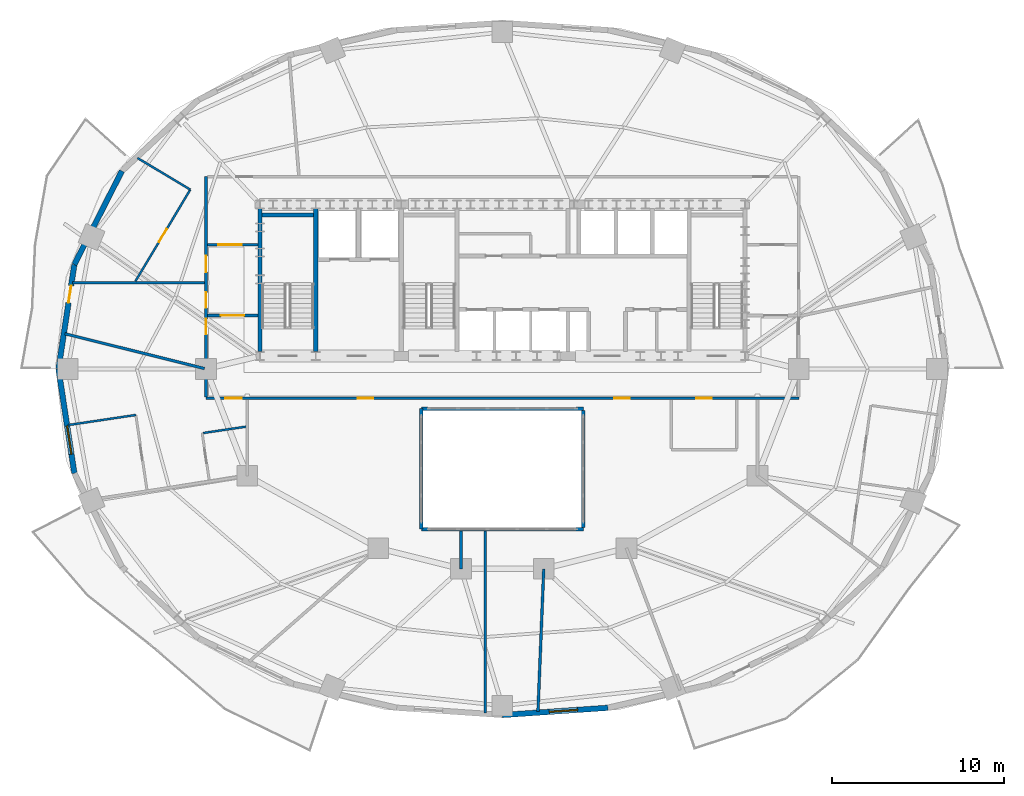
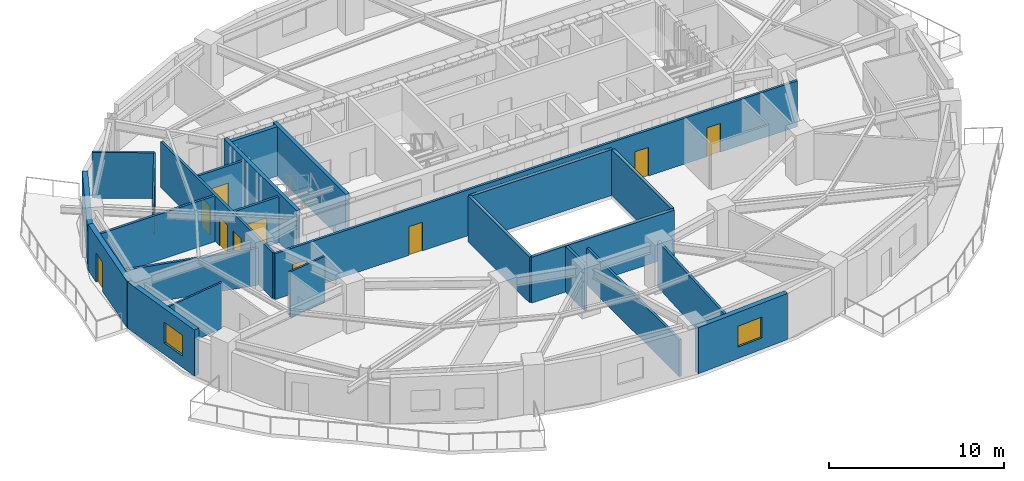
# One storey, part 6 of 12: 24 walls, 11 doors, 2 windows, 13 openings.
"""IFC4 building model written with IfcOpenShell, lengths in metres."""

import ifcopenshell
import ifcopenshell.guid

model = None  # the IFC model being written
_history = None  # IfcOwnerHistory: only IFC2X3 demands one
_inside = {}  # id of a spatial element -> (the spatial element, [elements in it])
_under = {}  # id of a project, library or spatial element -> (it, [spatial elements below it])
_declared = {}  # id of a project -> (the project, [libraries it declares])
_typed = {}  # id of a type object -> (the type object, [elements of that type])
_made_of = {}  # id of a material, layer set ... -> (it, [elements and type objects made of it])


def new_model(schema):
    """Start an empty IFC model of exactly this schema.

    Asked for "IFC4X3", IfcOpenShell would pick the latest addendum, in which some entities
    have other attributes; the version numbers below select the first issue.
    IFC2X3 requires an IfcOwnerHistory on every rooted entity: one is made here for all.
    """
    global model, _history
    if schema == "IFC4X3":
        model = ifcopenshell.file(schema_version=(4, 3, 0, 0))
    else:
        model = ifcopenshell.file(schema=schema)
    _inside.clear()
    _under.clear()
    _declared.clear()
    _typed.clear()
    _made_of.clear()
    _history = None
    if model.schema == "IFC2X3":
        org = make("IfcOrganization", Name="unknown")
        user = make(
            "IfcPersonAndOrganization",
            ThePerson=make("IfcPerson", FamilyName="unknown"),
            TheOrganization=org,
        )
        app = make(
            "IfcApplication",
            ApplicationDeveloper=org,
            Version="unknown",
            ApplicationFullName="unknown",
            ApplicationIdentifier="unknown",
        )
        _history = make(
            "IfcOwnerHistory",
            OwningUser=user,
            OwningApplication=app,
            ChangeAction="ADDED",
            CreationDate=0,
        )
    return model


def make(cls, **values):
    """One entity of the class cls with the attributes given. An attribute that is None is left unset."""
    return model.create_entity(
        cls, **{name: value for name, value in values.items() if value is not None}
    )


def rooted(cls, **values):
    """An entity with a GlobalId (a new one), such as an element, a storey or a relation."""
    return make(cls, GlobalId=ifcopenshell.guid.new(), OwnerHistory=_history, **values)


def si_unit(unit_type, name, prefix=None):
    """IfcSIUnit, for example si_unit("LENGTHUNIT", "METRE", prefix="MILLI")."""
    return make("IfcSIUnit", UnitType=unit_type, Prefix=prefix, Name=name)


def assignment(units):
    """IfcUnitAssignment: the units of a project."""
    return None if units is None else make("IfcUnitAssignment", Units=units)


def point(xyz):
    """IfcCartesianPoint."""
    return None if xyz is None else make("IfcCartesianPoint", Coordinates=xyz)


def direction(xyz):
    """IfcDirection."""
    return None if xyz is None else make("IfcDirection", DirectionRatios=xyz)


def frame(location, z_axis=None, x_axis=None):
    """IfcAxis2Placement3D, a coordinate frame: its origin and axes. An axis left out is left unset."""
    return make(
        "IfcAxis2Placement3D",
        Location=point(location),
        Axis=direction(z_axis),
        RefDirection=direction(x_axis),
    )


def frame_2d(location, x_axis=None):
    """IfcAxis2Placement2D, a coordinate frame in the plane: its origin and x axis."""
    return make(
        "IfcAxis2Placement2D", Location=point(location), RefDirection=direction(x_axis)
    )


def origin():
    """The frame at (0, 0, 0) with its axes left unset."""
    return frame((0.0, 0.0, 0.0))


def place(relative_to, where):
    """IfcLocalPlacement: puts the frame where relative to a parent placement (None: the world)."""
    return make(
        "IfcLocalPlacement", PlacementRelTo=relative_to, RelativePlacement=where
    )


def context(
    kind, dimensions, precision=None, world=None, true_north=None, identifier=None
):
    """IfcGeometricRepresentationContext, for example the 3D "Model" context."""
    return make(
        "IfcGeometricRepresentationContext",
        ContextIdentifier=identifier,
        ContextType=kind,
        CoordinateSpaceDimension=dimensions,
        Precision=precision,
        WorldCoordinateSystem=world,
        TrueNorth=true_north,
    )


def subcontext(parent, identifier, kind, view, scale=None):
    """IfcGeometricRepresentationSubContext, for example "Body" below "Model"."""
    return make(
        "IfcGeometricRepresentationSubContext",
        ContextIdentifier=identifier,
        ContextType=kind,
        ParentContext=parent,
        TargetScale=scale,
        TargetView=view,
    )


def project(units=None, contexts=None):
    """IfcProject with its units and contexts."""
    return rooted(
        "IfcProject",
        Name="project",
        RepresentationContexts=contexts,
        UnitsInContext=assignment(units),
    )


def spatial(cls, under=None, at=None, **own):
    """A site, building, storey or space (cls), placed at a placement, below another one or the project."""
    s = rooted(cls, ObjectPlacement=at, **own)
    if under is not None:
        _under.setdefault(under.id(), (under, []))[1].append(s)
    return s


def profile(cls, at=None, kind="AREA", **sizes):
    """A parametric profile (cls). Its sizes go by their IFC names, for example OverallWidth=200.0."""
    return make(cls, ProfileType=kind, Position=at, **sizes)


def rectangle(**sizes):
    """IfcRectangleProfileDef."""
    return profile("IfcRectangleProfileDef", **sizes)


def extrude(swept, where, along, depth):
    """IfcExtrudedAreaSolid: the profile swept, set in the frame where, extruded along a direction by depth."""
    return make(
        "IfcExtrudedAreaSolid",
        SweptArea=swept,
        Position=where,
        ExtrudedDirection=direction(along),
        Depth=depth,
    )


def shape(context_of_items, identifier, shape_type, items):
    """IfcShapeRepresentation: the items that make up one representation, for example the "Body"."""
    return make(
        "IfcShapeRepresentation",
        ContextOfItems=context_of_items,
        RepresentationIdentifier=identifier,
        RepresentationType=shape_type,
        Items=items,
    )


def material(Name=None, Category=None):
    """IfcMaterial."""
    return make("IfcMaterial", Name=Name, Category=Category)


def layer(
    of_material, thickness, ventilated=None, Name=None, Category=None, Priority=None
):
    """IfcMaterialLayer: one layer of a wall or slab, of a material (None: an air gap)."""
    return make(
        "IfcMaterialLayer",
        Material=of_material,
        LayerThickness=thickness,
        IsVentilated=ventilated,
        Name=Name,
        Category=Category,
        Priority=Priority,
    )


def layer_set(layers, Name=None):
    """IfcMaterialLayerSet."""
    return make("IfcMaterialLayerSet", MaterialLayers=layers, LayerSetName=Name)


def made_of(thing, what):
    """Note that an element or type object is made of a material, layer set ...; save() writes the relation."""
    if what is not None:
        _made_of.setdefault(what.id(), (what, []))[1].append(thing)
    return thing


def type_object(cls, material=None, **own):
    """A type object (cls), such as IfcWallType, which elements share."""
    return made_of(rooted(cls, **own), material)


def element(
    cls,
    number,
    at=None,
    inside=None,
    cuts=None,
    type_object=None,
    material=None,
    context=None,
    identifier="Body",
    shape_type=None,
    held_by="IfcProductDefinitionShape",
    body=None,
    shapes=None,
    **own,
):
    """One element of the class cls, such as IfcWall. Its Tag is "e" and its number.

    at: its placement. inside: the storey or other place that contains it. cuts: it is an
    opening in that element (IfcRelVoidsElement). A single representation is given by context,
    identifier, shape_type and body (its items); several are given by shapes. held_by: the class
    of the entity that holds the representations. save() writes the other relations.
    """
    e = rooted(cls, Tag="e%d" % number, ObjectPlacement=at, **own)
    if body is not None:
        shapes = [shape(context, identifier, shape_type, body)]
    if shapes is not None:
        e.Representation = make(held_by, Representations=shapes)
    if inside is not None:
        _inside.setdefault(inside.id(), (inside, []))[1].append(e)
    if cuts is not None:
        rooted(
            "IfcRelVoidsElement", RelatingBuildingElement=cuts, RelatedOpeningElement=e
        )
    if type_object is not None:
        _typed.setdefault(type_object.id(), (type_object, []))[1].append(e)
    return made_of(e, material)


def fill(opening, filler):
    """IfcRelFillsElement: the door or window that sits in an opening."""
    return rooted(
        "IfcRelFillsElement",
        RelatingOpeningElement=opening,
        RelatedBuildingElement=filler,
    )


def aggregate(whole, parts):
    """IfcRelAggregates: a whole, such as a stair, and the parts it consists of."""
    return rooted("IfcRelAggregates", RelatingObject=whole, RelatedObjects=parts)


def save(model, path):
    """Write the relations noted so far, then the file.

    IfcRelAggregates (storeys below a building ...), IfcRelContainedInSpatialStructure (elements
    in a storey), IfcRelDefinesByType, IfcRelAssociatesMaterial and IfcRelDeclares: one each for
    every whole, place, type object, material and project.
    """
    for whole, parts in _under.values():
        aggregate(whole, parts)
    for where, things in _inside.values():
        rooted(
            "IfcRelContainedInSpatialStructure",
            RelatedElements=things,
            RelatingStructure=where,
        )
    for kind, things in _typed.values():
        rooted("IfcRelDefinesByType", RelatedObjects=things, RelatingType=kind)
    for what, things in _made_of.values():
        rooted("IfcRelAssociatesMaterial", RelatedObjects=things, RelatingMaterial=what)
    for by, libraries in _declared.values():
        rooted("IfcRelDeclares", RelatingContext=by, RelatedDefinitions=libraries)
    model.write(path)


model = new_model("IFC4")

# Units and contexts
model_context = context("Model", 3, precision=1e-05, world=origin(), true_north=direction((0.0, 1.0)))
body_context = subcontext(model_context, "Body", "Model", "MODEL_VIEW")
ifc_project = project(units=[si_unit("LENGTHUNIT", "METRE"), si_unit("AREAUNIT", "SQUARE_METRE"), si_unit("VOLUMEUNIT", "CUBIC_METRE"), si_unit("PLANEANGLEUNIT", "RADIAN"), si_unit("MASSUNIT", "GRAM", prefix="KILO")], contexts=[model_context])

# Site, building, storey
site_placement = place(None, origin())
site = spatial("IfcSite", under=ifc_project, at=site_placement, CompositionType="ELEMENT")
building_placement = place(site_placement, origin())
building = spatial("IfcBuilding", under=site, at=building_placement, Name="Haldorwick Loom Tower", CompositionType="ELEMENT")
storey_placement = place(building_placement, frame((0.0, 0.0, 157.89990234375)))
storey = spatial("IfcBuildingStorey", under=building, at=storey_placement, Name="L42", CompositionType="ELEMENT", Elevation=157.89990234375)

# Wall
ifc_material_1 = material(Name="Pressed Clay Face Brick and Insulated Masonry Backup Assembly", Category="masonry")
ifc_layer_1 = layer(ifc_material_1, 0.320068359375, Name="Pressed Clay Face Brick and Insulated Masonry Backup Assembly", Category="masonry")
ifc_layer_set_1 = layer_set([ifc_layer_1], Name="Pressed Clay Face Brick and Insulated Masonry Backup Assembly")
wall_type_1 = type_object("IfcWallType", Name="ARC-WL-EXT320", PredefinedType="STANDARD", material=ifc_layer_set_1)
wall_1_placement = place(storey_placement, frame((13.92333984375, 37.481201171875, 0.0), z_axis=(0.0, 0.0, 1.0), x_axis=(-0.453172129629, -0.89142303141, 0.0)))
element("IfcWall", 1, at=wall_1_placement, inside=storey, type_object=wall_type_1, Name="L42 Brick Pier and Spandrel Wall 11", PredefinedType="STANDARD", context=body_context, shape_type="SweptSolid", body=[
    extrude(rectangle(XDim=6.086669921875, YDim=0.320068359375, at=frame_2d((3.04345703125, 0.0))), origin(), (0.0, 0.0, 1.0), 2.64111328125),
])

# Wall, opening, door
wall_2_placement = place(storey_placement, frame((11.1650390625, 32.055419921875, 0.0), z_axis=(0.0, 0.0, 1.0), x_axis=(-0.150544467684, -0.988603238539, 0.0)))
wall_2 = element("IfcWall", 2, at=wall_2_placement, inside=storey, type_object=wall_type_1, Name="L42 Brick Pier and Spandrel Wall 12", PredefinedType="STANDARD", context=body_context, shape_type="SweptSolid", body=[
    extrude(rectangle(XDim=6.125244140625, YDim=0.320068359375, at=frame_2d((3.0625, 0.0))), origin(), (0.0, 0.0, 1.0), 3.210205078125),
])
opening_1_placement = place(wall_2_placement, frame((1.2412109375, 0.0, 0.0)))
opening_1 = element("IfcOpeningElement", 3, at=opening_1_placement, cuts=wall_2, Name="Opening D-BL10", PredefinedType="OPENING", context=body_context, shape_type="SweptSolid", body=[
    extrude(rectangle(XDim=1.0, YDim=2.0400390625, at=frame_2d((0.5, 1.02001953125))), frame((0.0, 0.169921875, 0.0), z_axis=(0.0, -1.0, 0.0), x_axis=(1.0, 0.0, 0.0)), (0.0, 0.0, 1.0), 0.340087890625),
])
ifc_material_2 = material(Name="Thermally Broken Anodized Aluminium Curtain Wall Framing", Category="aluminium")
door_type_1 = type_object("IfcDoorType", Name="ARC-DR-BAL100", OperationType="NOTDEFINED", PredefinedType="DOOR", material=ifc_material_2)
door_1_placement = place(opening_1_placement, origin())
door_1 = element("IfcDoor", 4, at=door_1_placement, inside=storey, type_object=door_type_1, Name="L42 Outdoor Terrace Door SLB-L42-BAL_WNW", OperationType="SINGLE_SWING_RIGHT", OverallHeight=2.0400390625, OverallWidth=1.0, PredefinedType="DOOR", context=body_context, shape_type="SweptSolid", body=[
    extrude(rectangle(XDim=1.0, YDim=2.0400390625, at=frame_2d((0.5, 1.02001953125))), frame((0.0, 0.02490234375, 0.0), z_axis=(0.0, -1.0, 0.0), x_axis=(1.0, 0.0, 0.0)), (0.0, 0.0, 1.0), 0.050048828125),
])
fill(opening_1, door_1)

# Wall, opening, window
wall_3_placement = place(storey_placement, frame((10.242919921875, 26.0, 0.0), z_axis=(0.0, 0.0, 1.0), x_axis=(0.150544467684, -0.988603238539, 0.0)))
wall_3 = element("IfcWall", 5, at=wall_3_placement, inside=storey, type_object=wall_type_1, Name="L42 Brick Pier and Spandrel Wall 13", PredefinedType="STANDARD", context=body_context, shape_type="SweptSolid", body=[
    extrude(rectangle(XDim=6.125244140625, YDim=0.320068359375, at=frame_2d((3.0625, 0.0))), origin(), (0.0, 0.0, 1.0), 3.210205078125),
])
opening_2_placement = place(wall_3_placement, frame((3.35205078125, 0.0, 0.800048828125)))
opening_2 = element("IfcOpeningElement", 6, at=opening_2_placement, cuts=wall_3, Name="Opening W-01B", PredefinedType="OPENING", context=body_context, shape_type="SweptSolid", body=[
    extrude(rectangle(XDim=1.64990234375, YDim=1.449951171875, at=frame_2d((0.824951171875, 0.72509765625))), frame((0.0, 0.169921875, 0.0), z_axis=(0.0, -1.0, 0.0), x_axis=(1.0, 0.0, 0.0)), (0.0, 0.0, 1.0), 0.340087890625),
])
ifc_material_3 = material(Name="Triple-Glazed Low-E Argon Insulated Glazing Unit", Category="glass")
window_type = type_object("IfcWindowType", Name="ARC-WIN-W165", PartitioningType="SINGLE_PANEL", PredefinedType="WINDOW", material=ifc_material_3)
window_1_placement = place(opening_2_placement, origin())
window_1 = element("IfcWindow", 7, at=window_1_placement, inside=storey, type_object=window_type, Name="L42 Deep-Set Zone 7A Window 13", OverallHeight=1.449951171875, OverallWidth=1.64990234375, PartitioningType="SINGLE_PANEL", PredefinedType="WINDOW", context=body_context, shape_type="SweptSolid", body=[
    extrude(rectangle(XDim=1.64990234375, YDim=1.449951171875, at=frame_2d((0.824951171875, 0.72509765625))), frame((0.0, 0.030029296875, 0.0), z_axis=(0.0, -1.0, 0.0), x_axis=(1.0, 0.0, 0.0)), (0.0, 0.0, 1.0), 0.06005859375),
])
fill(opening_2, window_1)

wall_4_placement = place(storey_placement, frame((36.0, 5.915283203125, 0.0), z_axis=(0.0, 0.0, 1.0), x_axis=(0.997652942988, 0.068473391522, 0.0)))
wall_4 = element("IfcWall", 8, at=wall_4_placement, inside=storey, type_object=wall_type_1, Name="L42 Brick Pier and Spandrel Wall 19", PredefinedType="STANDARD", context=body_context, shape_type="SweptSolid", body=[
    extrude(rectangle(XDim=6.143310546875, YDim=0.320068359375, at=frame_2d((3.07177734375, 0.0))), origin(), (0.0, 0.0, 1.0), 3.210205078125),
])
opening_3_placement = place(wall_4_placement, frame((2.723388671875, 0.0, 0.800048828125)))
opening_3 = element("IfcOpeningElement", 9, at=opening_3_placement, cuts=wall_4, Name="Opening W-01B", PredefinedType="OPENING", context=body_context, shape_type="SweptSolid", body=[
    extrude(rectangle(XDim=1.64990234375, YDim=1.449951171875, at=frame_2d((0.824951171875, 0.72509765625))), frame((0.0, 0.169921875, 0.0), z_axis=(0.0, -1.0, 0.0), x_axis=(1.0, 0.0, 0.0)), (0.0, 0.0, 1.0), 0.340087890625),
])
window_2_placement = place(opening_3_placement, origin())
window_2 = element("IfcWindow", 10, at=window_2_placement, inside=storey, type_object=window_type, Name="L42 Deep-Set Zone 7A Window 19", OverallHeight=1.449951171875, OverallWidth=1.64990234375, PartitioningType="SINGLE_PANEL", PredefinedType="WINDOW", context=body_context, shape_type="SweptSolid", body=[
    extrude(rectangle(XDim=1.64990234375, YDim=1.449951171875, at=frame_2d((0.824951171875, 0.72509765625))), frame((0.0, 0.030029296875, 0.0), z_axis=(0.0, -1.0, 0.0), x_axis=(1.0, 0.0, 0.0)), (0.0, 0.0, 1.0), 0.06005859375),
])
fill(opening_3, window_2)

# Wall, openings, doors
ifc_material_4 = material(Name="Fire-Rated Type X Gypsum Stud Assembly EI 60")
ifc_layer_2 = layer(ifc_material_4, 0.159912109375, Name="Fire-Rated Type X Gypsum Stud Assembly EI 60")
ifc_layer_set_2 = layer_set([ifc_layer_2], Name="Fire-Rated Type X Gypsum Stud Assembly EI 60")
wall_type_2 = type_object("IfcWallType", Name="ARC-WL-FIRE160", PredefinedType="PARTITIONING", material=ifc_layer_set_2)
wall_5_placement = place(storey_placement, frame((18.800048828125, 24.300048828125, 0.0), z_axis=(0.0, 0.0, 1.0), x_axis=(1.0, 0.0, 0.0)))
wall_5 = element("IfcWall", 11, at=wall_5_placement, inside=storey, type_object=wall_type_2, Name="L42 Residential Fire Partition L42-CR-SP", PredefinedType="PARTITIONING", context=body_context, shape_type="SweptSolid", body=[
    extrude(rectangle(XDim=34.39990234375, YDim=0.159912109375, at=frame_2d((17.199951171875, 0.0))), origin(), (0.0, 0.0, 1.0), 3.195068359375),
])
opening_4_placement = place(wall_5_placement, frame((23.6962890625, 0.0, 0.0)))
opening_4 = element("IfcOpeningElement", 12, at=opening_4_placement, cuts=wall_5, Name="Opening D-FD60A", PredefinedType="OPENING", context=body_context, shape_type="SweptSolid", body=[
    extrude(rectangle(XDim=0.89990234375, YDim=2.0, at=frame_2d((0.449951171875, 1.0))), frame((0.0, 0.08984375, 0.0), z_axis=(0.0, -1.0, 0.0), x_axis=(1.0, 0.0, 0.0)), (0.0, 0.0, 1.0), 0.179931640625),
])
opening_5_placement = place(wall_5_placement, frame((8.8115234375, 0.0, 0.0)))
opening_5 = element("IfcOpeningElement", 13, at=opening_5_placement, cuts=wall_5, Name="Opening D-FD60A", PredefinedType="OPENING", context=body_context, shape_type="SweptSolid", body=[
    extrude(rectangle(XDim=0.89990234375, YDim=2.0, at=frame_2d((0.449951171875, 1.0))), frame((0.0, 0.08984375, 0.0), z_axis=(0.0, -1.0, 0.0), x_axis=(1.0, 0.0, 0.0)), (0.0, 0.0, 1.0), 0.179931640625),
])
opening_6_placement = place(wall_5_placement, frame((28.437255859375, 0.0, 0.0)))
opening_6 = element("IfcOpeningElement", 14, at=opening_6_placement, cuts=wall_5, Name="Opening D-FD60A", PredefinedType="OPENING", context=body_context, shape_type="SweptSolid", body=[
    extrude(rectangle(XDim=0.89990234375, YDim=2.0, at=frame_2d((0.449951171875, 1.0))), frame((0.0, 0.08984375, 0.0), z_axis=(0.0, -1.0, 0.0), x_axis=(1.0, 0.0, 0.0)), (0.0, 0.0, 1.0), 0.179931640625),
])
opening_7_placement = place(wall_5_placement, frame((1.130859375, 0.0, 0.0)))
opening_7 = element("IfcOpeningElement", 15, at=opening_7_placement, cuts=wall_5, Name="Opening D-FL95", PredefinedType="OPENING", context=body_context, shape_type="SweptSolid", body=[
    extrude(rectangle(XDim=0.949951171875, YDim=2.0400390625, at=frame_2d((0.47509765625, 1.02001953125))), frame((0.0, 0.08984375, 0.0), z_axis=(0.0, -1.0, 0.0), x_axis=(1.0, 0.0, 0.0)), (0.0, 0.0, 1.0), 0.179931640625),
])
ifc_material_5 = material(Name="Hollow Steel Fire Door Assembly", Category="steel")
door_type_2 = type_object("IfcDoorType", Name="ARC-DR-FD60-90", OperationType="NOTDEFINED", PredefinedType="DOOR", material=ifc_material_5)
door_2_placement = place(opening_4_placement, origin())
door_2 = element("IfcDoor", 16, at=door_2_placement, inside=storey, type_object=door_type_2, Name="L42 L42 Central Residential Corridor to Co-Working Open Office 1 Door", OperationType="SINGLE_SWING_LEFT", OverallHeight=2.0, OverallWidth=0.89990234375, PredefinedType="DOOR", context=body_context, shape_type="SweptSolid", body=[
    extrude(rectangle(XDim=0.89990234375, YDim=2.0, at=frame_2d((0.449951171875, 1.0))), frame((0.0, 0.02490234375, 0.0), z_axis=(0.0, -1.0, 0.0), x_axis=(1.0, 0.0, 0.0)), (0.0, 0.0, 1.0), 0.050048828125),
])
fill(opening_4, door_2)
door_3_placement = place(opening_5_placement, origin())
door_3 = element("IfcDoor", 17, at=door_3_placement, inside=storey, type_object=door_type_2, Name="L42 L42 Central Residential Corridor to Co-Working Open Office 2 Door", OperationType="SINGLE_SWING_RIGHT", OverallHeight=2.0, OverallWidth=0.89990234375, PredefinedType="DOOR", context=body_context, shape_type="SweptSolid", body=[
    extrude(rectangle(XDim=0.89990234375, YDim=2.0, at=frame_2d((0.449951171875, 1.0))), frame((0.0, 0.02490234375, 0.0), z_axis=(0.0, -1.0, 0.0), x_axis=(1.0, 0.0, 0.0)), (0.0, 0.0, 1.0), 0.050048828125),
])
fill(opening_5, door_3)
door_4_placement = place(opening_6_placement, origin())
door_4 = element("IfcDoor", 18, at=door_4_placement, inside=storey, type_object=door_type_2, Name="L42 L42 Central Residential Corridor to Common Accessible WC Door", OperationType="SINGLE_SWING_LEFT", OverallHeight=2.0, OverallWidth=0.89990234375, PredefinedType="DOOR", context=body_context, shape_type="SweptSolid", body=[
    extrude(rectangle(XDim=0.89990234375, YDim=2.0, at=frame_2d((0.449951171875, 1.0))), frame((0.0, 0.02490234375, 0.0), z_axis=(0.0, -1.0, 0.0), x_axis=(1.0, 0.0, 0.0)), (0.0, 0.0, 1.0), 0.050048828125),
])
fill(opening_6, door_4)
ifc_material_6 = material(Name="Solid Core Birch Architectural Door")
door_type_3 = type_object("IfcDoorType", Name="ARC-DR-FLAT95", OperationType="NOTDEFINED", PredefinedType="DOOR", material=ifc_material_6)
door_5_placement = place(opening_7_placement, origin())
door_5 = element("IfcDoor", 19, at=door_5_placement, inside=storey, type_object=door_type_3, Name="L42 L42 Central Residential Corridor to Unit 42A Kitchen and Living Room", OperationType="SINGLE_SWING_LEFT", OverallHeight=2.0400390625, OverallWidth=0.949951171875, PredefinedType="DOOR", context=body_context, shape_type="SweptSolid", body=[
    extrude(rectangle(XDim=0.949951171875, YDim=2.0400390625, at=frame_2d((0.47509765625, 1.02001953125))), frame((0.0, 0.02490234375, 0.0), z_axis=(0.0, -1.0, 0.0), x_axis=(1.0, 0.0, 0.0)), (0.0, 0.0, 1.0), 0.050048828125),
])
fill(opening_7, door_5)

wall_6_placement = place(storey_placement, frame((18.800048828125, 24.383056640625, 0.0), z_axis=(0.0, 0.0, 1.0), x_axis=(0.0, 1.0, 0.0)))
wall_6 = element("IfcWall", 20, at=wall_6_placement, inside=storey, type_object=wall_type_2, Name="L42 Residential Fire Partition L42-CR-W0", PredefinedType="PARTITIONING", context=body_context, shape_type="SweptSolid", body=[
    extrude(rectangle(XDim=12.766845703125, YDim=0.159912109375, at=frame_2d((6.38330078125, 0.0))), origin(), (0.0, 0.0, 1.0), 3.195068359375),
])
opening_8_placement = place(wall_6_placement, frame((3.62158203125, 0.0, 0.0)))
opening_8 = element("IfcOpeningElement", 21, at=opening_8_placement, cuts=wall_6, Name="Opening D-FD60A", PredefinedType="OPENING", context=body_context, shape_type="SweptSolid", body=[
    extrude(rectangle(XDim=0.89990234375, YDim=2.0, at=frame_2d((0.449951171875, 1.0))), frame((0.0, 0.08984375, 0.0), z_axis=(0.0, -1.0, 0.0), x_axis=(1.0, 0.0, 0.0)), (0.0, 0.0, 1.0), 0.179931640625),
])
opening_9_placement = place(wall_6_placement, frame((7.229248046875, 0.0, 0.0)))
opening_9 = element("IfcOpeningElement", 22, at=opening_9_placement, cuts=wall_6, Name="Opening D-FL95", PredefinedType="OPENING", context=body_context, shape_type="SweptSolid", body=[
    extrude(rectangle(XDim=0.949951171875, YDim=2.0400390625, at=frame_2d((0.47509765625, 1.02001953125))), frame((0.0, 0.08984375, 0.0), z_axis=(0.0, -1.0, 0.0), x_axis=(1.0, 0.0, 0.0)), (0.0, 0.0, 1.0), 0.179931640625),
])
opening_10_placement = place(wall_6_placement, frame((5.1630859375, 0.0, 0.0)))
opening_10 = element("IfcOpeningElement", 23, at=opening_10_placement, cuts=wall_6, Name="Opening D-FD60A", PredefinedType="OPENING", context=body_context, shape_type="SweptSolid", body=[
    extrude(rectangle(XDim=0.89990234375, YDim=2.0, at=frame_2d((0.449951171875, 1.0))), frame((0.0, 0.08984375, 0.0), z_axis=(0.0, -1.0, 0.0), x_axis=(1.0, 0.0, 0.0)), (0.0, 0.0, 1.0), 0.179931640625),
])
door_6_placement = place(opening_8_placement, frame((0.89990234375, 0.0, 0.0), z_axis=(0.0, 0.0, 1.0), x_axis=(-1.0, 0.0, 0.0)))
door_6 = element("IfcDoor", 24, at=door_6_placement, inside=storey, type_object=door_type_2, Name="L42 Resident Study Room 1 to L42 Central Residential Corridor Door", OperationType="SINGLE_SWING_LEFT", OverallHeight=2.0, OverallWidth=0.89990234375, PredefinedType="DOOR", context=body_context, shape_type="SweptSolid", body=[
    extrude(rectangle(XDim=0.89990234375, YDim=2.0, at=frame_2d((0.449951171875, 1.0))), frame((0.0, 0.02490234375, 0.0), z_axis=(0.0, -1.0, 0.0), x_axis=(1.0, 0.0, 0.0)), (0.0, 0.0, 1.0), 0.050048828125),
])
fill(opening_8, door_6)
door_7_placement = place(opening_10_placement, frame((0.89990234375, 0.0, 0.0), z_axis=(0.0, 0.0, 1.0), x_axis=(-1.0, 0.0, 0.0)))
door_7 = element("IfcDoor", 25, at=door_7_placement, inside=storey, type_object=door_type_2, Name="L42 Resident Study Room 1 to L42 West Residential Corridor Door", OperationType="SINGLE_SWING_LEFT", OverallHeight=2.0, OverallWidth=0.89990234375, PredefinedType="DOOR", context=body_context, shape_type="SweptSolid", body=[
    extrude(rectangle(XDim=0.89990234375, YDim=2.0, at=frame_2d((0.449951171875, 1.0))), frame((0.0, 0.02490234375, 0.0), z_axis=(0.0, -1.0, 0.0), x_axis=(1.0, 0.0, 0.0)), (0.0, 0.0, 1.0), 0.050048828125),
])
fill(opening_10, door_7)
door_8_placement = place(opening_9_placement, frame((0.949951171875, 0.0, 0.0), z_axis=(0.0, 0.0, 1.0), x_axis=(-1.0, 0.0, 0.0)))
door_8 = element("IfcDoor", 26, at=door_8_placement, inside=storey, type_object=door_type_3, Name="L42 Unit 42B Kitchen and Studio Living Room to L42 West Residential Corr", OperationType="SINGLE_SWING_RIGHT", OverallHeight=2.0400390625, OverallWidth=0.949951171875, PredefinedType="DOOR", context=body_context, shape_type="SweptSolid", body=[
    extrude(rectangle(XDim=0.949951171875, YDim=2.0400390625, at=frame_2d((0.47509765625, 1.02001953125))), frame((0.0, 0.02490234375, 0.0), z_axis=(0.0, -1.0, 0.0), x_axis=(1.0, 0.0, 0.0)), (0.0, 0.0, 1.0), 0.050048828125),
])
fill(opening_9, door_8)

# Wall, opening, door
wall_7_placement = place(storey_placement, frame((18.883056640625, 29.10009765625, 0.0), z_axis=(0.0, 0.0, 1.0), x_axis=(1.0, 0.0, 0.0)))
wall_7 = element("IfcWall", 27, at=wall_7_placement, inside=storey, type_object=wall_type_2, Name="L42 Residential Fire Partition L42-CR-WSJ", PredefinedType="PARTITIONING", context=body_context, shape_type="SweptSolid", body=[
    extrude(rectangle(XDim=2.923828125, YDim=0.159912109375, at=frame_2d((1.4619140625, 0.0))), origin(), (0.0, 0.0, 1.0), 3.195068359375),
])
opening_11_placement = place(wall_7_placement, frame((0.787109375, 0.0, 0.0)))
opening_11 = element("IfcOpeningElement", 28, at=opening_11_placement, cuts=wall_7, Name="Opening D-CR15", PredefinedType="OPENING", context=body_context, shape_type="SweptSolid", body=[
    extrude(rectangle(XDim=1.35009765625, YDim=2.0, at=frame_2d((0.675048828125, 1.0))), frame((0.0, 0.08984375, 0.0), z_axis=(0.0, -1.0, 0.0), x_axis=(1.0, 0.0, 0.0)), (0.0, 0.0, 1.0), 0.179931640625),
])
ifc_material_7 = material(Name="Thermally Broken Anodized Aluminium and Tempered Glass", Category="aluminium")
door_type_4 = type_object("IfcDoorType", Name="ARC-DR-COR150", OperationType="NOTDEFINED", PredefinedType="DOOR", material=ifc_material_7)
door_9_placement = place(opening_11_placement, origin())
door_9 = element("IfcDoor", 29, at=door_9_placement, inside=storey, type_object=door_type_4, Name="L42 L42 West Residential Corridor to L42 Central Residential Corridor Do", OperationType="DOUBLE_DOOR_SINGLE_SWING", OverallHeight=2.0, OverallWidth=1.35009765625, PredefinedType="DOOR", context=body_context, shape_type="SweptSolid", body=[
    extrude(rectangle(XDim=1.35009765625, YDim=2.0, at=frame_2d((0.675048828125, 1.0))), frame((0.0, 0.02490234375, 0.0), z_axis=(0.0, -1.0, 0.0), x_axis=(1.0, 0.0, 0.0)), (0.0, 0.0, 1.0), 0.050048828125),
])
fill(opening_11, door_9)

wall_8_placement = place(storey_placement, frame((18.883056640625, 33.199951171875, 0.0), z_axis=(0.0, 0.0, 1.0), x_axis=(1.0, 0.0, 0.0)))
wall_8 = element("IfcWall", 30, at=wall_8_placement, inside=storey, type_object=wall_type_2, Name="L42 Residential Fire Partition L42-CR-WNJ", PredefinedType="PARTITIONING", context=body_context, shape_type="SweptSolid", body=[
    extrude(rectangle(XDim=2.923828125, YDim=0.159912109375, at=frame_2d((1.4619140625, 0.0))), origin(), (0.0, 0.0, 1.0), 3.195068359375),
])
opening_12_placement = place(wall_8_placement, frame((0.637939453125, 0.0, 0.0)))
opening_12 = element("IfcOpeningElement", 31, at=opening_12_placement, cuts=wall_8, Name="Opening D-CR15", PredefinedType="OPENING", context=body_context, shape_type="SweptSolid", body=[
    extrude(rectangle(XDim=1.35009765625, YDim=2.0, at=frame_2d((0.675048828125, 1.0))), frame((0.0, 0.08984375, 0.0), z_axis=(0.0, -1.0, 0.0), x_axis=(1.0, 0.0, 0.0)), (0.0, 0.0, 1.0), 0.179931640625),
])
door_10_placement = place(opening_12_placement, origin())
door_10 = element("IfcDoor", 32, at=door_10_placement, inside=storey, type_object=door_type_4, Name="L42 L42 North Residential Corridor to L42 West Residential Corridor Door", OperationType="DOUBLE_DOOR_SINGLE_SWING", OverallHeight=2.0, OverallWidth=1.35009765625, PredefinedType="DOOR", context=body_context, shape_type="SweptSolid", body=[
    extrude(rectangle(XDim=1.35009765625, YDim=2.0, at=frame_2d((0.675048828125, 1.0))), frame((0.0, 0.02490234375, 0.0), z_axis=(0.0, -1.0, 0.0), x_axis=(1.0, 0.0, 0.0)), (0.0, 0.0, 1.0), 0.050048828125),
])
fill(opening_12, door_10)

# Walls
wall_9_placement = place(storey_placement, frame((38.39990234375, 14.39990234375, 0.0), z_axis=(0.0, 0.0, 1.0), x_axis=(-0.040315228746, -0.99918701069, 0.0)))
element("IfcWall", 33, at=wall_9_placement, inside=storey, type_object=wall_type_2, Name="L42 Residential Fire Partition L42-ICR-06", PredefinedType="PARTITIONING", context=body_context, shape_type="SweptSolid", body=[
    extrude(rectangle(XDim=8.284423828125, YDim=0.159912109375, at=frame_2d((4.14208984375, 0.0))), origin(), (0.0, 0.0, 1.0), 3.195068359375),
])
wall_10_placement = place(storey_placement, frame((18.717041015625, 26.020751953125, 0.0), z_axis=(0.0, 0.0, 1.0), x_axis=(-0.97029374306, 0.241929849708, 0.0)))
element("IfcWall", 34, at=wall_10_placement, inside=storey, type_object=wall_type_2, Name="L42 Residential Fire Partition L42-ICR-12", PredefinedType="PARTITIONING", context=body_context, shape_type="SweptSolid", body=[
    extrude(rectangle(XDim=8.345458984375, YDim=0.159912109375, at=frame_2d((4.1728515625, 0.0))), origin(), (0.0, 0.0, 1.0), 2.568115234375),
])
wall_11_placement = place(storey_placement, frame((35.0, 6.04931640625, 0.0), z_axis=(0.0, 0.0, 1.0), x_axis=(0.0, 1.0, 0.0)))
element("IfcWall", 35, at=wall_11_placement, inside=storey, type_object=wall_type_2, Name="L42 Residential Fire Partition L42-SBP-0", PredefinedType="PARTITIONING", context=body_context, shape_type="SweptSolid", body=[
    extrude(rectangle(XDim=10.547607421875, YDim=0.159912109375, at=frame_2d((5.27392578125, 0.0))), origin(), (0.0, 0.0, 1.0), 2.568115234375),
])
wall_12_placement = place(storey_placement, frame((33.60009765625, 16.596923828125, 0.0), z_axis=(0.0, 0.0, 1.0), x_axis=(0.0, -1.0, 0.0)))
element("IfcWall", 36, at=wall_12_placement, inside=storey, type_object=wall_type_2, Name="L42 Residential Fire Partition L42-ICA-07", PredefinedType="PARTITIONING", context=body_context, shape_type="SweptSolid", body=[
    extrude(rectangle(XDim=2.197021484375, YDim=0.159912109375, at=frame_2d((1.0986328125, 0.0))), origin(), (0.0, 0.0, 1.0), 3.195068359375),
])
wall_13_placement = place(storey_placement, frame((11.070068359375, 31.0, 0.0), z_axis=(0.0, 0.0, 1.0), x_axis=(1.0, 0.0, 0.0)))
element("IfcWall", 37, at=wall_13_placement, inside=storey, type_object=wall_type_2, Name="L42 Residential Fire Partition L42-FLW-17", PredefinedType="PARTITIONING", context=body_context, shape_type="SweptSolid", body=[
    extrude(rectangle(XDim=7.64697265625, YDim=0.159912109375, at=frame_2d((3.823486328125, 0.0))), origin(), (0.0, 0.0, 1.0), 3.195068359375),
])
ifc_material_8 = material(Name="Fire-Rated Type X Gypsum Stud Assembly EI 120")
ifc_layer_3 = layer(ifc_material_8, 0.199951171875, Name="Fire-Rated Type X Gypsum Stud Assembly EI 120")
ifc_layer_set_3 = layer_set([ifc_layer_3], Name="Fire-Rated Type X Gypsum Stud Assembly EI 120")
wall_type_3 = type_object("IfcWallType", Name="ARC-WL-FIRE200", PredefinedType="PARTITIONING", material=ifc_layer_set_3)
for number, where, z_axis, x_axis, name in (
    (38, (31.300048828125, 23.699951171875, 0.0), (0.0, 0.0, 1.0), (1.0, 0.0, 0.0), "L42 Atrium Fire Enclosure Wall N"),
    (39, (40.699951171875, 16.699951171875, 0.0), (0.0, 0.0, 1.0), (-1.0, 0.0, 0.0), "L42 Atrium Fire Enclosure Wall S"),
):
    element("IfcWall", number, at=place(storey_placement, frame(where, z_axis=z_axis, x_axis=x_axis)), inside=storey, type_object=wall_type_3, Name=name, PredefinedType="PARTITIONING", context=body_context, shape_type="SweptSolid", body=[
        extrude(rectangle(XDim=9.39990234375, YDim=0.199951171875, at=frame_2d((4.699951171875, 0.0))), origin(), (0.0, 0.0, 1.0), 3.195068359375),
    ])
wall_14_placement = place(storey_placement, frame((31.300048828125, 16.699951171875, 0.0), z_axis=(0.0, 0.0, 1.0), x_axis=(0.0, 1.0, 0.0)))
element("IfcWall", 40, at=wall_14_placement, inside=storey, type_object=wall_type_3, Name="L42 Atrium Fire Enclosure Wall W", PredefinedType="PARTITIONING", context=body_context, shape_type="SweptSolid", body=[
    extrude(rectangle(XDim=7.0, YDim=0.199951171875, at=frame_2d((3.5, 0.0))), origin(), (0.0, 0.0, 1.0), 3.195068359375),
])
wall_15_placement = place(storey_placement, frame((40.699951171875, 23.596923828125, 0.0), z_axis=(0.0, 0.0, 1.0), x_axis=(0.0, -1.0, 0.0)))
element("IfcWall", 41, at=wall_15_placement, inside=storey, type_object=wall_type_3, Name="L42 Atrium Fire Enclosure Wall E", PredefinedType="PARTITIONING", context=body_context, shape_type="SweptSolid", body=[
    extrude(rectangle(XDim=6.7939453125, YDim=0.199951171875, at=frame_2d((3.39697265625, 0.0))), origin(), (0.0, 0.0, 1.0), 3.195068359375),
])
ifc_material_9 = material(Name="Acoustic Gypsum Stud Assembly STC 55")
ifc_layer_4 = layer(ifc_material_9, 0.1201171875, Name="Acoustic Gypsum Stud Assembly STC 55")
ifc_layer_set_4 = layer_set([ifc_layer_4], Name="Acoustic Gypsum Stud Assembly STC 55")
wall_type_4 = type_object("IfcWallType", Name="ARC-WL-PART120", PredefinedType="PARTITIONING", material=ifc_layer_set_4)
wall_16_placement = place(storey_placement, frame((21.116943359375, 22.648681640625, 0.0), z_axis=(0.0, 0.0, 1.0), x_axis=(-0.989077144291, -0.147398787785, 0.0)))
element("IfcWall", 42, at=wall_16_placement, inside=storey, type_object=wall_type_4, Name="L42 Unit 42A Interior Partition", PredefinedType="PARTITIONING", context=body_context, shape_type="SweptSolid", body=[
    extrude(rectangle(XDim=2.497802734375, YDim=0.1201171875, at=frame_2d((1.2490234375, 0.0))), origin(), (0.0, 0.0, 1.0), 3.195068359375),
])
wall_17_placement = place(storey_placement, frame((14.731201171875, 23.3271484375, 0.0), z_axis=(0.0, 0.0, 1.0), x_axis=(-0.989064996369, -0.147480279896, 0.0)))
element("IfcWall", 43, at=wall_17_placement, inside=storey, type_object=wall_type_4, Name="L42 Unit 42A Interior Partition", PredefinedType="PARTITIONING", context=body_context, shape_type="SweptSolid", body=[
    extrude(rectangle(XDim=3.9697265625, YDim=0.1201171875, at=frame_2d((1.98486328125, 0.0))), origin(), (0.0, 0.0, 1.0), 3.195068359375),
])

# Wall, opening, door
wall_18_placement = place(storey_placement, frame((17.892333984375, 36.401611328125, 0.0), z_axis=(0.0, 0.0, 1.0), x_axis=(-0.51391655632, -0.857840179253, 0.0)))
wall_18 = element("IfcWall", 44, at=wall_18_placement, inside=storey, type_object=wall_type_4, Name="L42 Unit 42B Interior Partition", PredefinedType="PARTITIONING", context=body_context, shape_type="SweptSolid", body=[
    extrude(rectangle(XDim=6.199951171875, YDim=0.1201171875, at=frame_2d((3.10009765625, 0.0))), origin(), (0.0, 0.0, 1.0), 3.195068359375),
])
opening_13_placement = place(wall_18_placement, frame((2.66015625, 0.0, 0.0)))
opening_13 = element("IfcOpeningElement", 45, at=opening_13_placement, cuts=wall_18, Name="Opening D-BT88", PredefinedType="OPENING", context=body_context, shape_type="SweptSolid", body=[
    extrude(rectangle(XDim=0.8798828125, YDim=2.02001953125, at=frame_2d((0.43994140625, 1.010009765625))), frame((0.0, 0.070068359375, 0.0), z_axis=(0.0, -1.0, 0.0), x_axis=(1.0, 0.0, 0.0)), (0.0, 0.0, 1.0), 0.14013671875),
])
door_type_5 = type_object("IfcDoorType", Name="ARC-DR-BATH88", OperationType="NOTDEFINED", PredefinedType="DOOR", material=ifc_material_6)
door_11_placement = place(opening_13_placement, origin())
door_11 = element("IfcDoor", 46, at=door_11_placement, inside=storey, type_object=door_type_5, Name="L42 Unit 42B Kitchen and Studio Living Room to Unit 42B Bathroom Door", OperationType="SINGLE_SWING_LEFT", OverallHeight=2.02001953125, OverallWidth=0.8798828125, PredefinedType="DOOR", context=body_context, shape_type="SweptSolid", body=[
    extrude(rectangle(XDim=0.8798828125, YDim=2.02001953125, at=frame_2d((0.43994140625, 1.010009765625))), frame((0.0, 0.02490234375, 0.0), z_axis=(0.0, -1.0, 0.0), x_axis=(1.0, 0.0, 0.0)), (0.0, 0.0, 1.0), 0.050048828125),
])
fill(opening_13, door_11)

# Walls
wall_19_placement = place(storey_placement, frame((17.892333984375, 36.401611328125, 0.0), z_axis=(0.0, 0.0, 1.0), x_axis=(-0.85781861304, 0.513952553376, 0.0)))
element("IfcWall", 47, at=wall_19_placement, inside=storey, type_object=wall_type_4, Name="L42 Unit 42B Interior Partition", PredefinedType="PARTITIONING", context=body_context, shape_type="SweptSolid", body=[
    extrude(rectangle(XDim=3.56982421875, YDim=0.1201171875, at=frame_2d((1.784912109375, 0.0))), origin(), (0.0, 0.0, 1.0), 3.195068359375),
])
ifc_material_10 = material(Name="Concrete C50 (50 MPa)", Category="concrete")
ifc_layer_5 = layer(ifc_material_10, 0.239990234375, Name="Concrete C50 (50 MPa)", Category="concrete")
ifc_layer_set_5 = layer_set([ifc_layer_5], Name="Concrete C50 (50 MPa)")
wall_type_5 = type_object("IfcWallType", Name="STR-WL-SHAFT240", PredefinedType="SHEAR", material=ifc_layer_set_5)
for number, where, z_axis, x_axis, name in (
    (48, (21.929931640625, 35.297119140625, 0.0), (0.0, 0.0, 1.0), (0.0, -1.0, 0.0), "L42 Core Shear Wall W"),
    (49, (25.169921875, 27.0029296875, 0.0), (0.0, 0.0, 1.0), (0.0, 1.0, 0.0), "L42 Core Shear Wall 1"),
):
    element("IfcWall", number, at=place(storey_placement, frame(where, z_axis=z_axis, x_axis=x_axis)), inside=storey, type_object=wall_type_5, Name=name, PredefinedType="SHEAR", context=body_context, shape_type="SweptSolid", body=[
        extrude(rectangle(XDim=8.294189453125, YDim=0.239990234375, at=frame_2d((4.14697265625, 0.0))), origin(), (0.0, 0.0, 1.0), 3.4501953125),
    ])
wall_20_placement = place(storey_placement, frame((22.052978515625, 34.919921875, 0.0), z_axis=(0.0, 0.0, 1.0), x_axis=(1.0, 0.0, 0.0)))
element("IfcWall", 50, at=wall_20_placement, inside=storey, type_object=wall_type_5, Name="L42 Core Shear Wall 1N", PredefinedType="SHEAR", context=body_context, shape_type="SweptSolid", body=[
    extrude(rectangle(XDim=2.994140625, YDim=0.239990234375, at=frame_2d((1.4970703125, 0.0))), origin(), (0.0, 0.0, 1.0), 3.4501953125),
])

save(model, "model.ifc")
